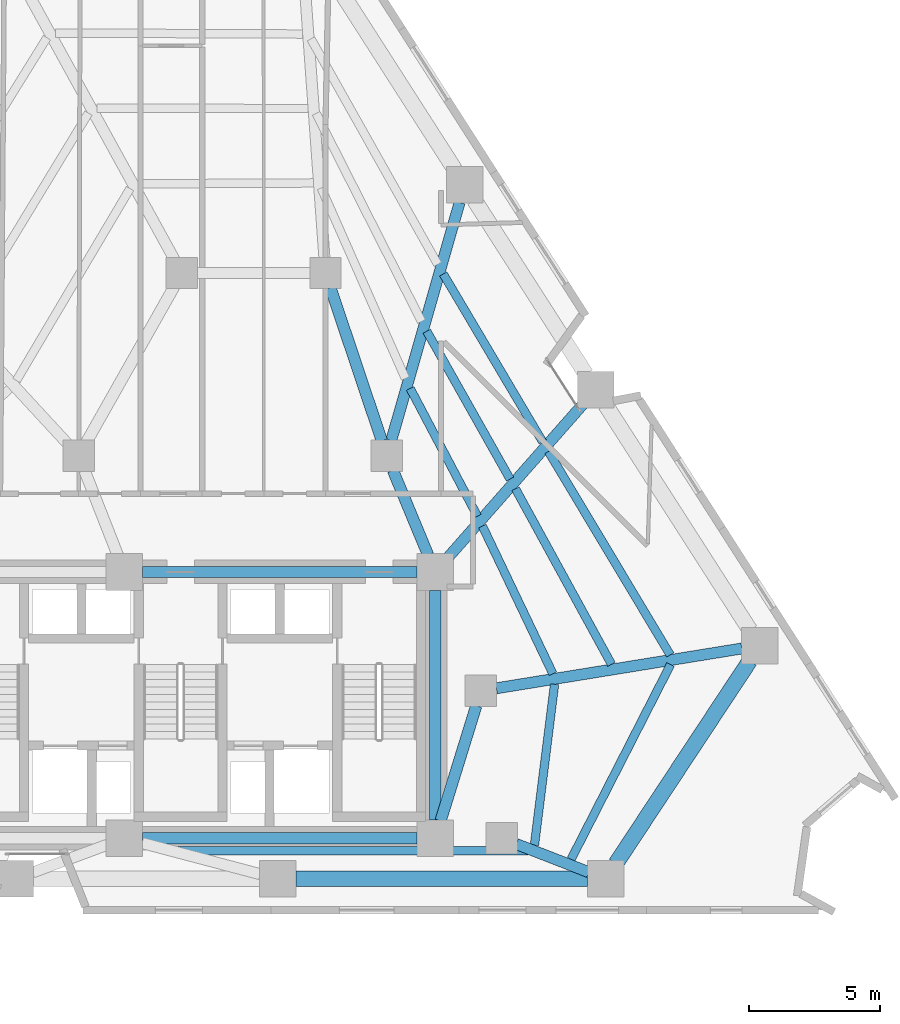
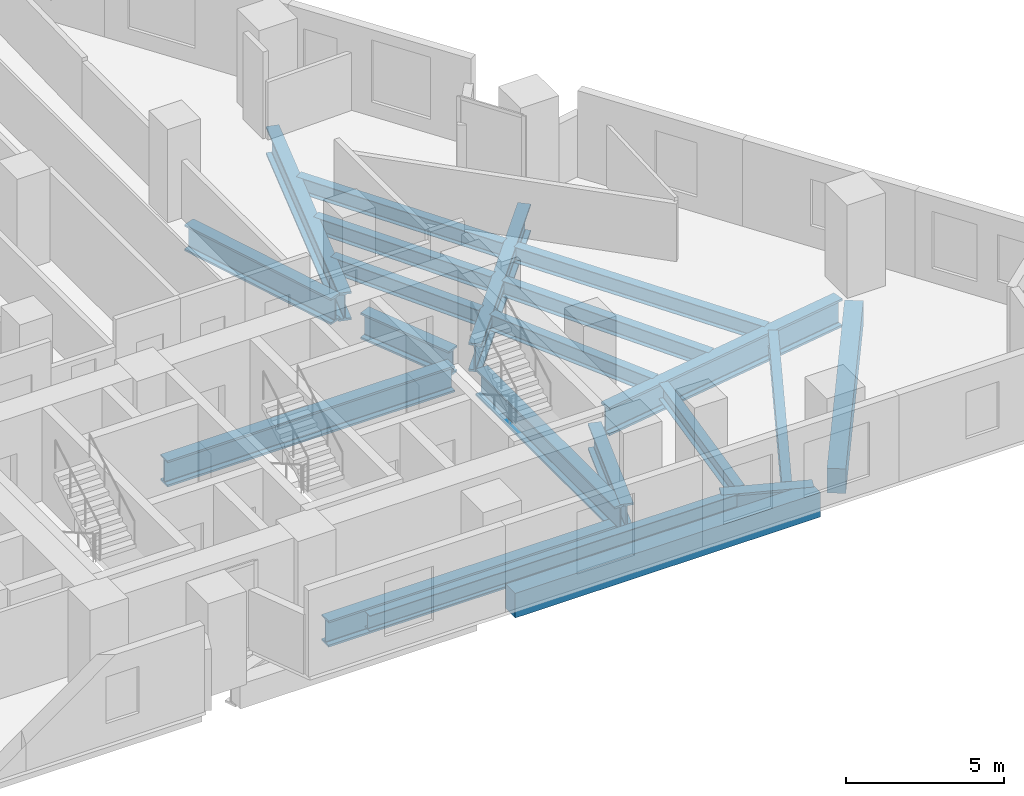
# One storey, part 4 of 14: 21 beams.
"""IFC4 building model written with IfcOpenShell, lengths in metres."""

from ifc_helpers import new_model, si_unit, direction, frame, origin, origin_2d, place, context, subcontext, project, spatial, rectangle, i_section, extrude, material, material_profile, profile_set, type_object, element, save


model = new_model("IFC4")

# Units and contexts
model_context = context("Model", 3, precision=1e-05, world=origin(), true_north=direction((0.0, 1.0)))
body_context = subcontext(model_context, "Body", "Model", "MODEL_VIEW")
ifc_project = project(units=[si_unit("LENGTHUNIT", "METRE"), si_unit("AREAUNIT", "SQUARE_METRE"), si_unit("VOLUMEUNIT", "CUBIC_METRE"), si_unit("PLANEANGLEUNIT", "RADIAN"), si_unit("MASSUNIT", "GRAM", prefix="KILO")], contexts=[model_context])

# Site, building, storey
site_placement = place(None, origin())
site = spatial("IfcSite", under=ifc_project, at=site_placement, CompositionType="ELEMENT")
building_placement = place(site_placement, origin())
building = spatial("IfcBuilding", under=site, at=building_placement, Name="Almagre Mirador Tower", CompositionType="ELEMENT")
storey_placement = place(building_placement, frame((0.0, 0.0, 35.39990234375)))
storey = spatial("IfcBuildingStorey", under=building, at=storey_placement, Name="L07", CompositionType="ELEMENT", Elevation=35.39990234375)

# Beams
ifc_material_1 = material(Name="Steel ASTM A992 Grade 50", Category="steel")
ifc_material_profile_1 = material_profile(ifc_material_1, i_section(OverallWidth=0.323974609375, OverallDepth=0.611083984375, WebThickness=0.0126953125, FlangeThickness=0.01904296875, FilletRadius=0.02001953125, at=origin_2d()), Name="W24X104")
ifc_profile_set_1 = profile_set([ifc_material_profile_1], Name="Steel ASTM A992 Grade 50")
beam_type_1 = type_object("IfcBeamType", Name="BM-JST-W24X104", PredefinedType="JOIST", material=ifc_profile_set_1)
beam_1_placement = place(storey_placement, frame((37.123779296875, 4.0849609375, -0.555419921875), z_axis=(0.999999653406, -0.000832578897, 0.0), x_axis=(0.000832578897, 0.999999653406, 0.0)))
element("IfcBeam", 1, at=beam_1_placement, inside=storey, type_object=beam_type_1, Name="L07 secondary floor joist PC03-PC04.3", PredefinedType="JOIST", context=body_context, shape_type="SweptSolid", body=[
    extrude(i_section(OverallWidth=0.323974609375, OverallDepth=0.611083984375, WebThickness=0.0126953125, FlangeThickness=0.01904296875, FilletRadius=0.02001953125, at=origin_2d()), origin(), (0.0, 0.0, 1.0), 13.48876953125),
])
beam_2_placement = place(storey_placement, frame((52.251708984375, 3.74462890625, -0.555419921875), z_axis=(0.454936985938, 0.890523631817, 0.0), x_axis=(-0.890523631817, 0.454936985938, 0.0)))
element("IfcBeam", 2, at=beam_2_placement, inside=storey, type_object=beam_type_1, Name="L07 secondary floor joist PC04-PC05.1", PredefinedType="JOIST", context=body_context, shape_type="SweptSolid", body=[
    extrude(i_section(OverallWidth=0.323974609375, OverallDepth=0.611083984375, WebThickness=0.0126953125, FlangeThickness=0.01904296875, FilletRadius=0.02001953125, at=origin_2d()), origin(), (0.0, 0.0, 1.0), 8.377685546875),
])
beam_3_placement = place(storey_placement, frame((50.850830078125, 4.283935546875, -0.555419921875), z_axis=(0.124000894941, 0.992282106084, 0.0), x_axis=(-0.992282106084, 0.124000894941, 0.0)))
element("IfcBeam", 3, at=beam_3_placement, inside=storey, type_object=beam_type_1, Name="L07 secondary floor joist PC04-PC05.3", PredefinedType="JOIST", context=body_context, shape_type="SweptSolid", body=[
    extrude(i_section(OverallWidth=0.323974609375, OverallDepth=0.611083984375, WebThickness=0.0126953125, FlangeThickness=0.01904296875, FilletRadius=0.02001953125, at=origin_2d()), origin(), (0.0, 0.0, 1.0), 6.215576171875),
])
beam_4_placement = place(storey_placement, frame((56.05029296875, 11.57568359375, -0.555419921875), z_axis=(-0.513855013217, 0.857877045614, 0.0), x_axis=(-0.857877045614, -0.513855013217, 0.0)))
element("IfcBeam", 4, at=beam_4_placement, inside=storey, type_object=beam_type_1, Name="L07 secondary floor joist PC05-PC06.1", PredefinedType="JOIST", context=body_context, shape_type="SweptSolid", body=[
    extrude(i_section(OverallWidth=0.323974609375, OverallDepth=0.611083984375, WebThickness=0.0126953125, FlangeThickness=0.01904296875, FilletRadius=0.02001953125, at=origin_2d()), origin(), (0.0, 0.0, 1.0), 9.079345703125),
])
beam_5_placement = place(storey_placement, frame((53.802001953125, 11.214111328125, -0.555419921875), z_axis=(-0.480025755473, 0.877254395305, 0.0), x_axis=(-0.877254395305, -0.480025755473, 0.0)))
element("IfcBeam", 5, at=beam_5_placement, inside=storey, type_object=beam_type_1, Name="L07 secondary floor joist PC05-PC06.2", PredefinedType="JOIST", context=body_context, shape_type="SweptSolid", body=[
    extrude(i_section(OverallWidth=0.323974609375, OverallDepth=0.611083984375, WebThickness=0.0126953125, FlangeThickness=0.01904296875, FilletRadius=0.02001953125, at=origin_2d()), origin(), (0.0, 0.0, 1.0), 7.66357421875),
])
beam_6_placement = place(storey_placement, frame((51.556640625, 10.853515625, -0.555419921875), z_axis=(-0.430677649627, 0.902505823866, 0.0), x_axis=(-0.902505823866, -0.430677649627, 0.0)))
element("IfcBeam", 6, at=beam_6_placement, inside=storey, type_object=beam_type_1, Name="L07 secondary floor joist PC05-PC06.3", PredefinedType="JOIST", context=body_context, shape_type="SweptSolid", body=[
    extrude(i_section(OverallWidth=0.323974609375, OverallDepth=0.611083984375, WebThickness=0.0126953125, FlangeThickness=0.01904296875, FilletRadius=0.02001953125, at=origin_2d()), origin(), (0.0, 0.0, 1.0), 6.26513671875),
])
beam_7_placement = place(storey_placement, frame((51.16796875, 19.72900390625, -0.555419921875), z_axis=(-0.509387024335, 0.860537540982, 0.0), x_axis=(-0.860537540982, -0.509387024335, 0.0)))
element("IfcBeam", 7, at=beam_7_placement, inside=storey, type_object=beam_type_1, Name="L07 secondary floor joist PC06-PC07.1", PredefinedType="JOIST", context=body_context, shape_type="SweptSolid", body=[
    extrude(i_section(OverallWidth=0.323974609375, OverallDepth=0.611083984375, WebThickness=0.0126953125, FlangeThickness=0.01904296875, FilletRadius=0.02001953125, at=origin_2d()), origin(), (0.0, 0.0, 1.0), 7.476806640625),
])
beam_8_placement = place(storey_placement, frame((49.91748046875, 18.3076171875, -0.555419921875), z_axis=(-0.490835301782, 0.871252378203, 0.0), x_axis=(-0.871252378203, -0.490835301782, 0.0)))
element("IfcBeam", 8, at=beam_8_placement, inside=storey, type_object=beam_type_1, Name="L07 secondary floor joist PC06-PC07.2", PredefinedType="JOIST", context=body_context, shape_type="SweptSolid", body=[
    extrude(i_section(OverallWidth=0.323974609375, OverallDepth=0.611083984375, WebThickness=0.0126953125, FlangeThickness=0.01904296875, FilletRadius=0.02001953125, at=origin_2d()), origin(), (0.0, 0.0, 1.0), 6.50048828125),
])
beam_9_placement = place(storey_placement, frame((48.668212890625, 16.88671875, -0.555419921875), z_axis=(-0.465804673837, 0.884887566774, 0.0), x_axis=(-0.884887566774, -0.465804673837, 0.0)))
element("IfcBeam", 9, at=beam_9_placement, inside=storey, type_object=beam_type_1, Name="L07 secondary floor joist PC06-PC07.3", PredefinedType="JOIST", context=body_context, shape_type="SweptSolid", body=[
    extrude(i_section(OverallWidth=0.323974609375, OverallDepth=0.611083984375, WebThickness=0.0126953125, FlangeThickness=0.01904296875, FilletRadius=0.02001953125, at=origin_2d()), origin(), (0.0, 0.0, 1.0), 5.528564453125),
])
ifc_material_2 = material(Name="Precast concrete C50/60", Category="concrete")
ifc_material_profile_2 = material_profile(ifc_material_2, rectangle(XDim=0.60009765625, YDim=0.949951171875, at=origin_2d()), Name="RC600X950")
ifc_profile_set_2 = profile_set([ifc_material_profile_2], Name="Precast concrete C50/60")
beam_type_2 = type_object("IfcBeamType", Name="BM-SPN-RC600X950", PredefinedType="SPANDREL", material=ifc_profile_set_2)
beam_10_placement = place(storey_placement, frame((41.72412109375, 3.0, -0.724853515625), z_axis=(1.0, 0.0, 0.0), x_axis=(0.0, 1.0, 0.0)))
element("IfcBeam", 10, at=beam_10_placement, inside=storey, type_object=beam_type_2, Name="L07 perimeter spandrel beam PC03-PC04", PredefinedType="SPANDREL", context=body_context, shape_type="SweptSolid", body=[
    extrude(rectangle(XDim=0.60009765625, YDim=0.949951171875, at=origin_2d()), origin(), (0.0, 0.0, 1.0), 11.159912109375),
])
beam_11_placement = place(storey_placement, frame((53.9697265625, 3.584228515625, -0.724853515625), z_axis=(0.550976725149, 0.834520609898, 0.0), x_axis=(-0.834520609898, 0.550976725149, 0.0)))
element("IfcBeam", 11, at=beam_11_placement, inside=storey, type_object=beam_type_2, Name="L07 perimeter spandrel beam PC04-PC05", PredefinedType="SPANDREL", context=body_context, shape_type="SweptSolid", body=[
    extrude(rectangle(XDim=0.60009765625, YDim=0.949951171875, at=origin_2d()), origin(), (0.0, 0.0, 1.0), 9.304443359375),
])
ifc_material_3 = material(Name="Steel ASTM A992 Grade 50", Category="steel")
ifc_material_profile_3 = material_profile(ifc_material_3, i_section(OverallWidth=0.43701171875, OverallDepth=1.010986328125, WebThickness=0.041015625, FlangeThickness=0.073974609375, FilletRadius=0.028076171875, at=origin_2d()), Name="W36X529")
ifc_profile_set_3 = profile_set([ifc_material_profile_3], Name="Steel ASTM A992 Grade 50")
beam_type_3 = type_object("IfcBeamType", Name="BM-STL-W36X529", PredefinedType="BEAM", material=ifc_profile_set_3)
for number, where, z_axis, x_axis, name in (
    (12, (35.85009765625, 4.550048828125, -0.75537109375), (1.0, 0.0, 0.0), (0.0, 1.0, 0.0), "L07 core tie girder CC2-CC3"),
    (13, (35.85009765625, 14.75, -0.75537109375), (1.0, 0.0, 0.0), (0.0, 1.0, 0.0), "L07 core tie girder CC5-CC6"),
):
    element("IfcBeam", number, at=place(storey_placement, frame(where, z_axis=z_axis, x_axis=x_axis)), inside=storey, type_object=beam_type_3, Name=name, PredefinedType="BEAM", context=body_context, shape_type="SweptSolid", body=[
        extrude(i_section(OverallWidth=0.43701171875, OverallDepth=1.010986328125, WebThickness=0.041015625, FlangeThickness=0.073974609375, FilletRadius=0.028076171875, at=origin_2d()), origin(), (0.0, 0.0, 1.0), 10.5),
    ])
beam_12_placement = place(storey_placement, frame((47.050048828125, 5.25, -0.75537109375), z_axis=(0.0, 1.0, 0.0), x_axis=(-1.0, 0.0, 0.0)))
element("IfcBeam", 14, at=beam_12_placement, inside=storey, type_object=beam_type_3, Name="L07 core tie girder CC3-CC6", PredefinedType="BEAM", context=body_context, shape_type="SweptSolid", body=[
    extrude(i_section(OverallWidth=0.43701171875, OverallDepth=1.010986328125, WebThickness=0.041015625, FlangeThickness=0.073974609375, FilletRadius=0.028076171875, at=origin_2d()), origin(), (0.0, 0.0, 1.0), 8.800048828125),
])
beam_13_placement = place(storey_placement, frame((48.62255859375, 9.626953125, -0.75537109375), z_axis=(-0.295888328273, -0.955222538046, 0.0), x_axis=(0.955222538046, -0.295888328273, 0.0)))
element("IfcBeam", 15, at=beam_13_placement, inside=storey, type_object=beam_type_3, Name="L07 core tie girder MC3-CC3", PredefinedType="BEAM", context=body_context, shape_type="SweptSolid", body=[
    extrude(i_section(OverallWidth=0.43701171875, OverallDepth=1.010986328125, WebThickness=0.041015625, FlangeThickness=0.073974609375, FilletRadius=0.028076171875, at=origin_2d()), origin(), (0.0, 0.0, 1.0), 4.61474609375),
])
beam_14_placement = place(storey_placement, frame((45.430419921875, 18.64599609375, -0.75537109375), z_axis=(0.383856635851, -0.923392702545, 0.0), x_axis=(0.923392702545, 0.383856635851, 0.0)))
element("IfcBeam", 16, at=beam_14_placement, inside=storey, type_object=beam_type_3, Name="L07 core tie girder MC5-CC6", PredefinedType="BEAM", context=body_context, shape_type="SweptSolid", body=[
    extrude(i_section(OverallWidth=0.43701171875, OverallDepth=1.010986328125, WebThickness=0.041015625, FlangeThickness=0.073974609375, FilletRadius=0.028076171875, at=origin_2d()), origin(), (0.0, 0.0, 1.0), 3.51904296875),
])
beam_15_placement = place(storey_placement, frame((43.041015625, 25.631103515625, -0.75537109375), z_axis=(0.318252395552, -0.948006019351, 0.0), x_axis=(0.948006019351, 0.318252395552, 0.0)))
element("IfcBeam", 17, at=beam_15_placement, inside=storey, type_object=beam_type_3, Name="L07 core tie girder MC6-MC5", PredefinedType="BEAM", context=body_context, shape_type="SweptSolid", body=[
    extrude(i_section(OverallWidth=0.43701171875, OverallDepth=1.010986328125, WebThickness=0.041015625, FlangeThickness=0.073974609375, FilletRadius=0.028076171875, at=origin_2d()), origin(), (0.0, 0.0, 1.0), 6.183837890625),
])
ifc_material_4 = material(Name="Steel ASTM A913 Grade 65", Category="steel")
ifc_material_profile_4 = material_profile(ifc_material_4, i_section(OverallWidth=0.424072265625, OverallDepth=1.092041015625, WebThickness=0.04541015625, FlangeThickness=0.08203125, FilletRadius=0.030029296875, at=origin_2d()), Name="W40X593")
ifc_profile_set_4 = profile_set([ifc_material_profile_4], Name="Steel ASTM A913 Grade 65")
beam_type_4 = type_object("IfcBeamType", Name="BM-STL-W40X593", PredefinedType="BEAM", material=ifc_profile_set_4)
beam_16_placement = place(storey_placement, frame((52.931640625, 3.25390625, -0.7958984375), z_axis=(-0.931955378588, 0.362572988957, 0.0), x_axis=(-0.362572988957, -0.931955378588, 0.0)))
element("IfcBeam", 18, at=beam_16_placement, inside=storey, type_object=beam_type_4, Name="L07 radial floor girder PC04-MC2", PredefinedType="BEAM", context=body_context, shape_type="SweptSolid", body=[
    extrude(i_section(OverallWidth=0.424072265625, OverallDepth=1.092041015625, WebThickness=0.04541015625, FlangeThickness=0.08203125, FilletRadius=0.030029296875, at=origin_2d()), origin(), (0.0, 0.0, 1.0), 2.974853515625),
])
beam_17_placement = place(storey_placement, frame((58.791015625, 11.82080078125, -0.7958984375), z_axis=(-0.987096387793, -0.160127203205, 0.0), x_axis=(0.160127203205, -0.987096387793, 0.0)))
element("IfcBeam", 19, at=beam_17_placement, inside=storey, type_object=beam_type_4, Name="L07 radial floor girder PC05-MC3", PredefinedType="BEAM", context=body_context, shape_type="SweptSolid", body=[
    extrude(i_section(OverallWidth=0.424072265625, OverallDepth=1.092041015625, WebThickness=0.04541015625, FlangeThickness=0.08203125, FilletRadius=0.030029296875, at=origin_2d()), origin(), (0.0, 0.0, 1.0), 9.521484375),
])
beam_18_placement = place(storey_placement, frame((52.7392578125, 21.207763671875, -0.7958984375), z_axis=(-0.661045445009, -0.750345866673, 0.0), x_axis=(0.750345866673, -0.661045445009, 0.0)))
element("IfcBeam", 20, at=beam_18_placement, inside=storey, type_object=beam_type_4, Name="L07 radial floor girder PC06-CC6", PredefinedType="BEAM", context=body_context, shape_type="SweptSolid", body=[
    extrude(i_section(OverallWidth=0.424072265625, OverallDepth=1.092041015625, WebThickness=0.04541015625, FlangeThickness=0.08203125, FilletRadius=0.030029296875, at=origin_2d()), origin(), (0.0, 0.0, 1.0), 7.906494140625),
])
beam_19_placement = place(storey_placement, frame((47.98486328125, 28.900146484375, -0.7958984375), z_axis=(-0.275954024649, -0.961170836158, 0.0), x_axis=(0.961170836158, -0.275954024649, 0.0)))
element("IfcBeam", 21, at=beam_19_placement, inside=storey, type_object=beam_type_4, Name="L07 radial floor girder PC07-MC5", PredefinedType="BEAM", context=body_context, shape_type="SweptSolid", body=[
    extrude(i_section(OverallWidth=0.424072265625, OverallDepth=1.092041015625, WebThickness=0.04541015625, FlangeThickness=0.08203125, FilletRadius=0.030029296875, at=origin_2d()), origin(), (0.0, 0.0, 1.0), 9.4921875),
])

save(model, "model.ifc")
